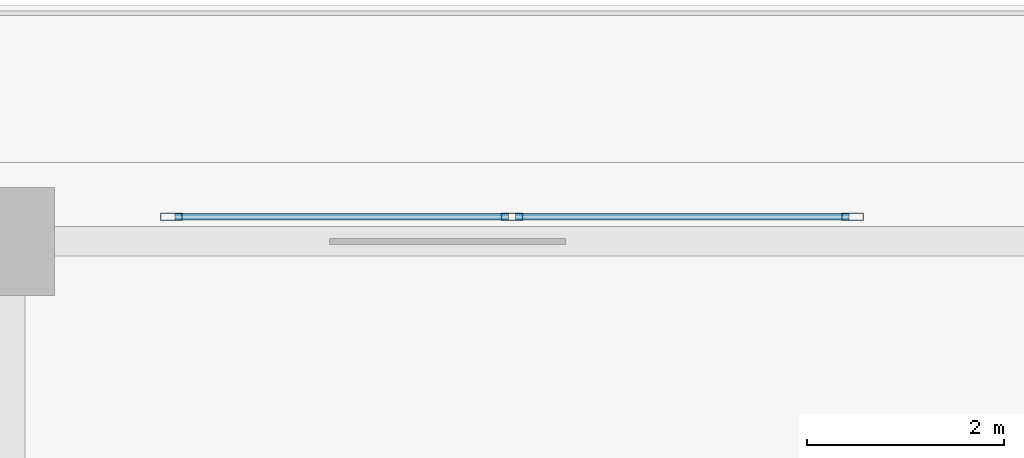
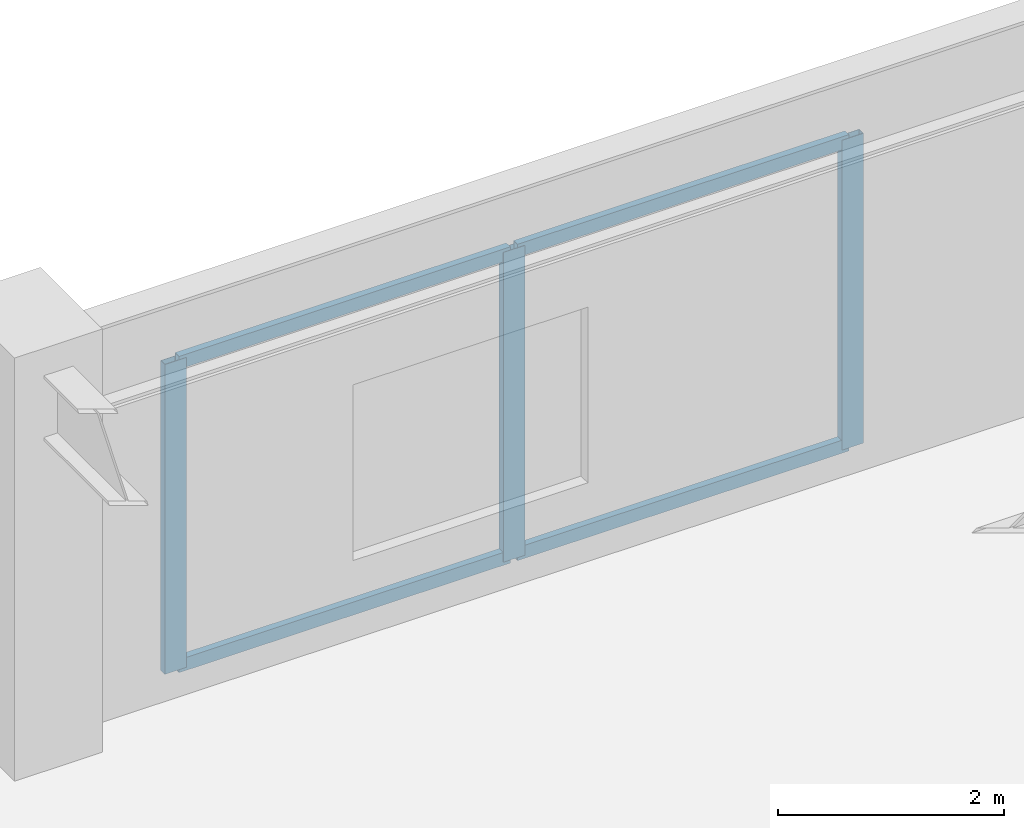
# One storey, part 2 of 9: 7 members, 1 element without a shape of its own.
"""IFC4 building model written with IfcOpenShell, lengths in metres."""

from ifc_helpers import new_model, si_unit, direction, frame, origin, origin_2d, place, context, subcontext, project, spatial, hollow_rectangle, extrude, material, layer, layer_set, material_profile, profile_set, type_object, element, aggregate, save


model = new_model("IFC4")

# Units and contexts
model_context = context("Model", 3, precision=1e-05, world=origin(), true_north=direction((0.0, 1.0)))
body_context = subcontext(model_context, "Body", "Model", "MODEL_VIEW")
ifc_project = project(units=[si_unit("LENGTHUNIT", "METRE"), si_unit("AREAUNIT", "SQUARE_METRE"), si_unit("VOLUMEUNIT", "CUBIC_METRE"), si_unit("PLANEANGLEUNIT", "RADIAN"), si_unit("MASSUNIT", "GRAM", prefix="KILO")], contexts=[model_context])

# Site, building, storey
site_placement = place(None, origin())
site = spatial("IfcSite", under=ifc_project, at=site_placement, CompositionType="ELEMENT")
building_placement = place(site_placement, origin())
building = spatial("IfcBuilding", under=site, at=building_placement, Name="Varnakorn Sky Granary", CompositionType="ELEMENT")
storey_placement = place(building_placement, frame((0.0, 0.0, 18.39990234375)))
storey = spatial("IfcBuildingStorey", under=building, at=storey_placement, Name="L04", CompositionType="ELEMENT", Elevation=18.39990234375)

# Curtain wall, members
ifc_material = material(Name="Anodised Bronze Aluminium Alloy 6063-T6", Category="aluminium")
ifc_layer = layer(ifc_material, 0.2099609375, Name="Anodised Bronze Aluminium Alloy 6063-T6")
ifc_layer_set = layer_set([ifc_layer], Name="Anodised Bronze Aluminium Alloy 6063-T6")
curtain_wall_type = type_object("IfcCurtainWallType", Name="CW-POD-2", PredefinedType="USERDEFINED", material=ifc_layer_set)
curtain_wall_placement = place(storey_placement, origin())
curtain_wall = element("IfcCurtainWall", 1, at=curtain_wall_placement, inside=storey, type_object=curtain_wall_type, Name="Unitised Curtain Wall CW2 CW-L04-P1", ObjectType="CURTAIN WALL", PredefinedType="USERDEFINED")
ifc_material_profile_1 = material_profile(ifc_material, hollow_rectangle(XDim=0.074951171875, YDim=0.219970703125, WallThickness=0.00390625, at=origin_2d()), Name="ALU MULL 75x220")
ifc_profile_set_1 = profile_set([ifc_material_profile_1], Name="Anodised Bronze Aluminium Alloy 6063-T6")
member_type_1 = type_object("IfcMemberType", Name="CW-POD-2-MULL", PredefinedType="MULLION", material=ifc_profile_set_1)
member_1_placement = place(storey_placement, frame((-12.362548828125, 20.050048828125, 0.0), z_axis=(0.0, 0.0, 1.0), x_axis=(0.0, 1.0, 0.0)))
member_1 = element("IfcMember", 2, at=member_1_placement, type_object=member_type_1, Name="CW2 mullion 1", PredefinedType="MULLION", context=body_context, shape_type="SweptSolid", body=[
    extrude(hollow_rectangle(XDim=0.074951171875, YDim=0.219970703125, WallThickness=0.00390625, at=origin_2d()), origin(), (0.0, 0.0, 1.0), 3.35009765625),
])
member_2_placement = place(storey_placement, frame((-8.89990234375, 20.050048828125, 0.0), z_axis=(0.0, 0.0, 1.0), x_axis=(0.0, 1.0, 0.0)))
member_2 = element("IfcMember", 3, at=member_2_placement, type_object=member_type_1, Name="CW2 mullion 2", PredefinedType="MULLION", context=body_context, shape_type="SweptSolid", body=[
    extrude(hollow_rectangle(XDim=0.074951171875, YDim=0.219970703125, WallThickness=0.00390625, at=origin_2d()), origin(), (0.0, 0.0, 1.0), 3.35009765625),
])
member_3_placement = place(storey_placement, frame((-5.4375, 20.050048828125, 0.0), z_axis=(0.0, 0.0, 1.0), x_axis=(0.0, 1.0, 0.0)))
member_3 = element("IfcMember", 4, at=member_3_placement, type_object=member_type_1, Name="CW2 mullion 3", PredefinedType="MULLION", context=body_context, shape_type="SweptSolid", body=[
    extrude(hollow_rectangle(XDim=0.074951171875, YDim=0.219970703125, WallThickness=0.00390625, at=origin_2d()), origin(), (0.0, 0.0, 1.0), 3.35009765625),
])
ifc_material_profile_2 = material_profile(ifc_material, hollow_rectangle(XDim=0.070068359375, YDim=0.139892578125, WallThickness=0.00341796875, at=origin_2d()), Name="ALU TRAN 70x140")
ifc_profile_set_2 = profile_set([ifc_material_profile_2], Name="Anodised Bronze Aluminium Alloy 6063-T6")
member_type_2 = type_object("IfcMemberType", Name="CW-POD-2-TRAN", PredefinedType="USERDEFINED", material=ifc_profile_set_2)
member_4_placement = place(storey_placement, frame((-12.324951171875, 20.050048828125, 0.03515625), z_axis=(1.0, 0.0, 0.0), x_axis=(0.0, 1.0, 0.0)))
member_4 = element("IfcMember", 5, at=member_4_placement, type_object=member_type_2, Name="CW2 transom 1.1", ObjectType="TRANSOM", PredefinedType="USERDEFINED", context=body_context, shape_type="SweptSolid", body=[
    extrude(hollow_rectangle(XDim=0.070068359375, YDim=0.139892578125, WallThickness=0.00341796875, at=origin_2d()), origin(), (0.0, 0.0, 1.0), 3.387451171875),
])
member_5_placement = place(storey_placement, frame((-12.324951171875, 20.050048828125, 3.315185546875), z_axis=(1.0, 0.0, 0.0), x_axis=(0.0, 1.0, 0.0)))
member_5 = element("IfcMember", 6, at=member_5_placement, type_object=member_type_2, Name="CW2 transom 1.2", ObjectType="TRANSOM", PredefinedType="USERDEFINED", context=body_context, shape_type="SweptSolid", body=[
    extrude(hollow_rectangle(XDim=0.070068359375, YDim=0.139892578125, WallThickness=0.00341796875, at=origin_2d()), origin(), (0.0, 0.0, 1.0), 3.387451171875),
])
member_6_placement = place(storey_placement, frame((-8.862548828125, 20.050048828125, 0.03515625), z_axis=(1.0, 0.0, 0.0), x_axis=(0.0, 1.0, 0.0)))
member_6 = element("IfcMember", 7, at=member_6_placement, type_object=member_type_2, Name="CW2 transom 2.1", ObjectType="TRANSOM", PredefinedType="USERDEFINED", context=body_context, shape_type="SweptSolid", body=[
    extrude(hollow_rectangle(XDim=0.070068359375, YDim=0.139892578125, WallThickness=0.00341796875, at=origin_2d()), origin(), (0.0, 0.0, 1.0), 3.387451171875),
])
member_7_placement = place(storey_placement, frame((-8.862548828125, 20.050048828125, 3.315185546875), z_axis=(1.0, 0.0, 0.0), x_axis=(0.0, 1.0, 0.0)))
member_7 = element("IfcMember", 8, at=member_7_placement, type_object=member_type_2, Name="CW2 transom 2.2", ObjectType="TRANSOM", PredefinedType="USERDEFINED", context=body_context, shape_type="SweptSolid", body=[
    extrude(hollow_rectangle(XDim=0.070068359375, YDim=0.139892578125, WallThickness=0.00341796875, at=origin_2d()), origin(), (0.0, 0.0, 1.0), 3.387451171875),
])
aggregate(curtain_wall, [member_1, member_2, member_3, member_4, member_5, member_6, member_7])

save(model, "model.ifc")
